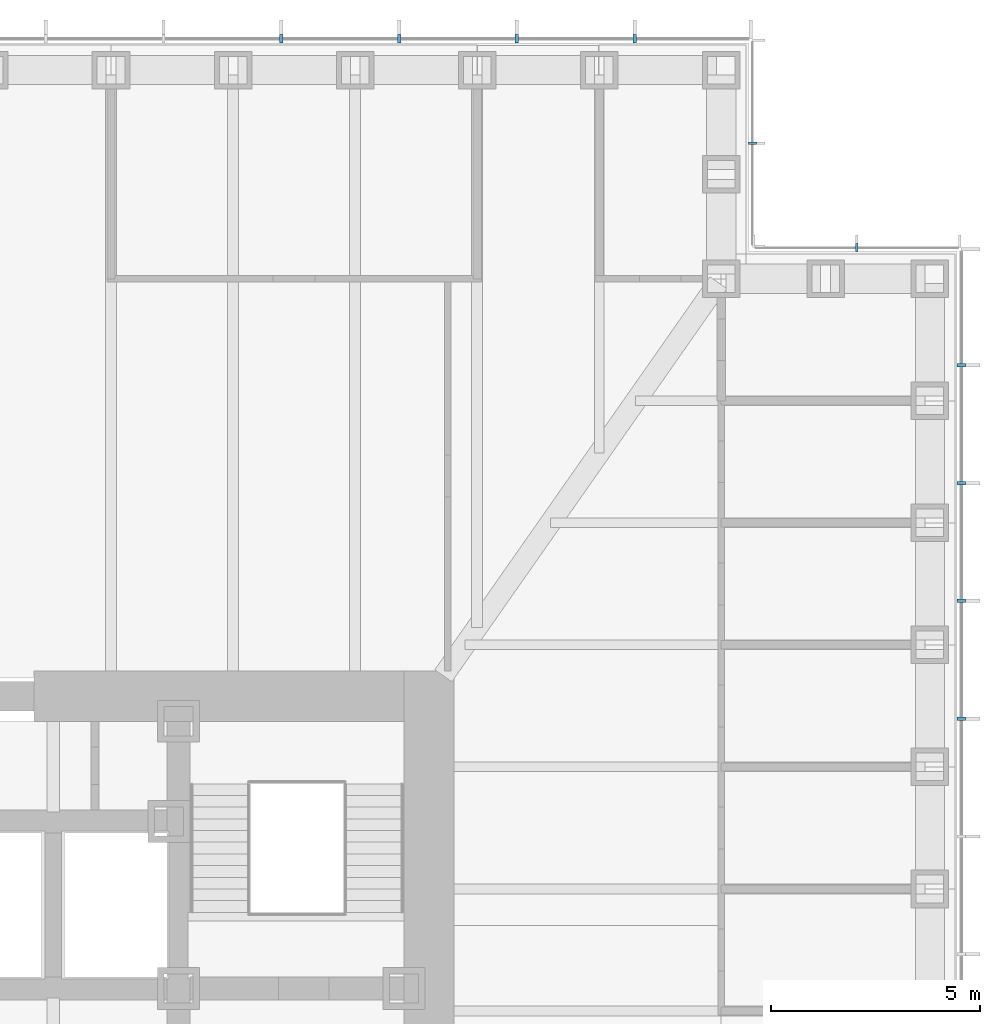
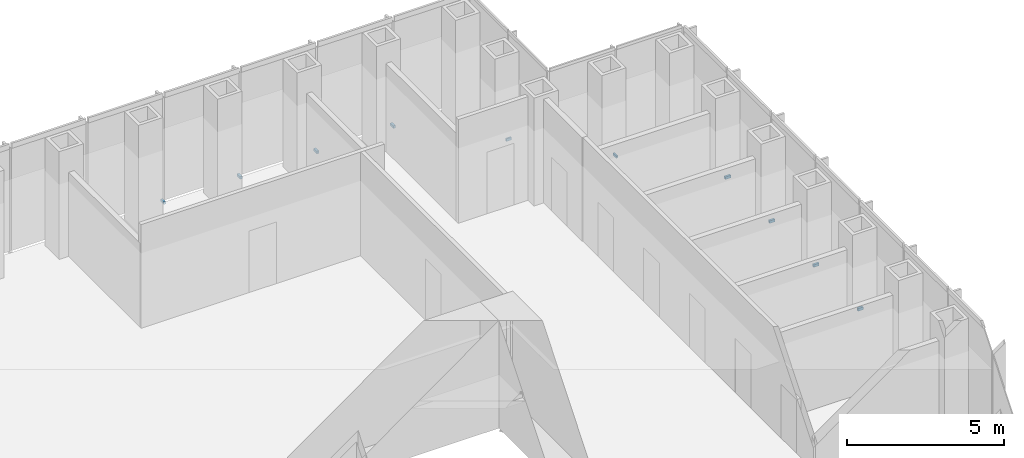
# One storey, part 16 of 17: 10 discrete accessories.
"""IFC4 building model written with IfcOpenShell, lengths in metres."""

from ifc_helpers import new_model, si_unit, direction, frame, origin, origin_2d, place, context, subcontext, project, spatial, rectangle, extrude, element, save


model = new_model("IFC4")

# Units and contexts
model_context = context("Model", 3, precision=1e-05, world=origin(), true_north=direction((0.0, 1.0)))
body_context = subcontext(model_context, "Body", "Model", "MODEL_VIEW")
ifc_project = project(units=[si_unit("LENGTHUNIT", "METRE"), si_unit("AREAUNIT", "SQUARE_METRE"), si_unit("VOLUMEUNIT", "CUBIC_METRE"), si_unit("PLANEANGLEUNIT", "RADIAN"), si_unit("MASSUNIT", "GRAM", prefix="KILO")], contexts=[model_context])

# Site, building, storey
site_placement = place(None, origin())
site = spatial("IfcSite", under=ifc_project, at=site_placement, CompositionType="ELEMENT")
building_placement = place(site_placement, origin())
building = spatial("IfcBuilding", under=site, at=building_placement, Name="Daluyong Arena Tower", CompositionType="ELEMENT")
storey_placement = place(building_placement, frame((0.0, 0.0, 55.89990234375)))
storey = spatial("IfcBuildingStorey", under=building, at=storey_placement, Name="L11", CompositionType="ELEMENT", Elevation=55.89990234375)

# Discrete accessories
for number, where, z_axis, x_axis, name in (
    (1, (80.75, 88.46435546875, -0.099853515625), (0.0, 0.0, 1.0), (0.0, 1.0, 0.0), "curtain wall L11 E anchor bracket 11"),
    (2, (80.75, 91.28564453125, -0.099853515625), (0.0, 0.0, 1.0), (0.0, 1.0, 0.0), "curtain wall L11 E anchor bracket 12"),
    (3, (80.75, 94.107177734375, -0.099853515625), (0.0, 0.0, 1.0), (0.0, 1.0, 0.0), "curtain wall L11 E anchor bracket 13"),
    (4, (80.75, 96.928466796875, -0.099853515625), (0.0, 0.0, 1.0), (0.0, 1.0, 0.0), "curtain wall L11 E anchor bracket 14"),
):
    element("IfcDiscreteAccessory", number, at=place(storey_placement, frame(where, z_axis=z_axis, x_axis=x_axis)), inside=storey, Name=name, PredefinedType="BRACKET", context=body_context, shape_type="SweptSolid", body=[
        extrude(rectangle(XDim=0.080078125, YDim=0.199951171875, at=origin_2d()), origin(), (0.0, 0.0, 1.0), 0.10009765625),
    ])
for number, where, z_axis, x_axis, name in (
    (5, (78.25, 99.75, -0.099853515625), (0.0, 0.0, 1.0), (-1.0, 0.0, 0.0), "curtain wall L11 NE-N anchor bracket 2"),
    (6, (75.75, 102.25, -0.099853515625), (0.0, 0.0, 1.0), (0.0, 1.0, 0.0), "curtain wall L11 NE-E anchor bracket 2"),
):
    element("IfcDiscreteAccessory", number, at=place(storey_placement, frame(where, z_axis=z_axis, x_axis=x_axis)), inside=storey, Name=name, PredefinedType="BRACKET", context=body_context, shape_type="SweptSolid", body=[
        extrude(rectangle(XDim=0.06005859375, YDim=0.199951171875, at=origin_2d()), origin(), (0.0, 0.0, 1.0), 0.10009765625),
    ])
for number, where, z_axis, x_axis, name in (
    (7, (72.928466796875, 104.75, -0.099853515625), (0.0, 0.0, 1.0), (-1.0, 0.0, 0.0), "curtain wall L11 N anchor bracket 2"),
    (8, (70.107177734375, 104.75, -0.099853515625), (0.0, 0.0, 1.0), (-1.0, 0.0, 0.0), "curtain wall L11 N anchor bracket 3"),
    (9, (67.28564453125, 104.75, -0.099853515625), (0.0, 0.0, 1.0), (-1.0, 0.0, 0.0), "curtain wall L11 N anchor bracket 4"),
    (10, (64.46435546875, 104.75, -0.099853515625), (0.0, 0.0, 1.0), (-1.0, 0.0, 0.0), "curtain wall L11 N anchor bracket 5"),
):
    element("IfcDiscreteAccessory", number, at=place(storey_placement, frame(where, z_axis=z_axis, x_axis=x_axis)), inside=storey, Name=name, PredefinedType="BRACKET", context=body_context, shape_type="SweptSolid", body=[
        extrude(rectangle(XDim=0.080078125, YDim=0.199951171875, at=origin_2d()), origin(), (0.0, 0.0, 1.0), 0.10009765625),
    ])

save(model, "model.ifc")
